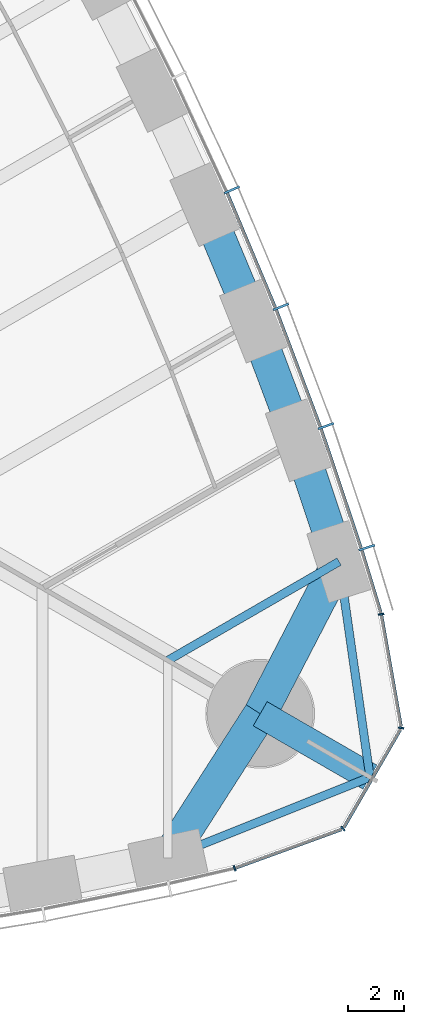
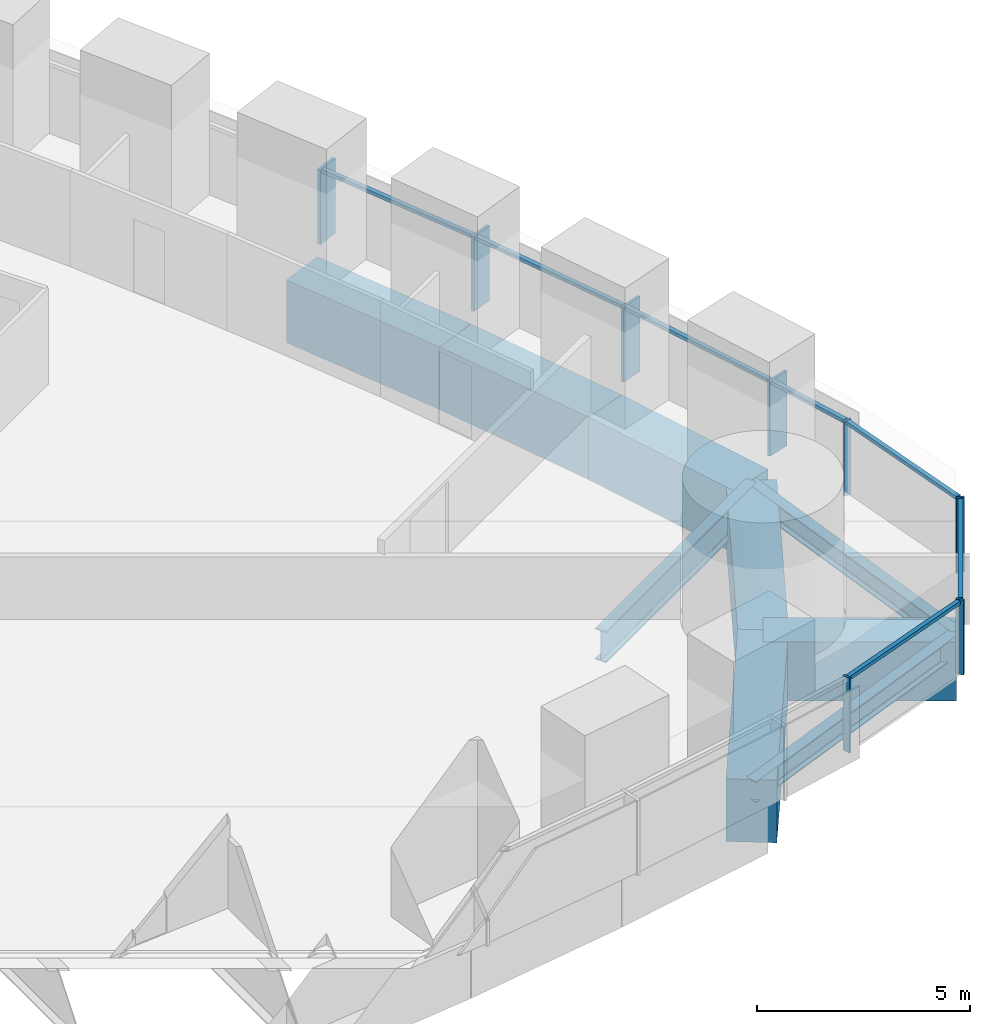
# One storey, part 7 of 18: 15 members, 9 beams, 2 elements without a shape of their own.
"""IFC4 building model written with IfcOpenShell, lengths in metres."""

from ifc_helpers import new_model, si_unit, direction, frame, origin, origin_2d, place, context, subcontext, project, spatial, rectangle, i_section, extrude, material, material_profile, profile_set, type_object, element, aggregate, save


model = new_model("IFC4")

# Units and contexts
model_context = context("Model", 3, precision=1e-05, world=origin(), true_north=direction((0.0, 1.0)))
body_context = subcontext(model_context, "Body", "Model", "MODEL_VIEW")
ifc_project = project(units=[si_unit("LENGTHUNIT", "METRE"), si_unit("AREAUNIT", "SQUARE_METRE"), si_unit("VOLUMEUNIT", "CUBIC_METRE"), si_unit("PLANEANGLEUNIT", "RADIAN"), si_unit("MASSUNIT", "GRAM", prefix="KILO")], contexts=[model_context])

# Site, building, storey
site_placement = place(None, origin())
site = spatial("IfcSite", under=ifc_project, at=site_placement, CompositionType="ELEMENT")
building_placement = place(site_placement, origin())
building = spatial("IfcBuilding", under=site, at=building_placement, Name="Trefoil Bronze Tower", CompositionType="ELEMENT")
storey_placement = place(building_placement, frame((0.0, 0.0, 174.5)))
storey = spatial("IfcBuildingStorey", under=building, at=storey_placement, Name="L40", CompositionType="ELEMENT", Elevation=174.5)

# Curtain wall, members
ifc_material_1 = material(Name="Tinted solar-control glass", Category="glass")
curtain_wall_type_1 = type_object("IfcCurtainWallType", Name="Bronze office curtain wall", PredefinedType="USERDEFINED", material=ifc_material_1)
curtain_wall_1_placement = place(storey_placement, origin())
curtain_wall_1 = element("IfcCurtainWall", 1, at=curtain_wall_1_placement, inside=storey, type_object=curtain_wall_type_1, Name="CW-A L40 F2", ObjectType="CURTAIN WALL", PredefinedType="USERDEFINED")
ifc_material_2 = material(Name="Bronze-finish aluminium", Category="aluminium")
ifc_material_profile_1 = material_profile(ifc_material_2, rectangle(XDim=0.60009765625, YDim=0.080078125, at=origin_2d()), Name="CW-A mullion")
ifc_profile_set_1 = profile_set([ifc_material_profile_1], Name="Bronze-finish aluminium")
member_type_1 = type_object("IfcMemberType", Name="Bronze office curtain wall mullion", PredefinedType="MULLION", material=ifc_profile_set_1)
member_1_placement = place(storey_placement, frame((34.1337890625, -11.543212890625, 0.0), z_axis=(0.0, 0.0, 1.0), x_axis=(-0.952331125357, -0.30506626768, 0.0)))
member_1 = element("IfcMember", 2, at=member_1_placement, type_object=member_type_1, Name="CW-A L40 F2 mullion 2", PredefinedType="MULLION", context=body_context, shape_type="SweptSolid", body=[
    extrude(rectangle(XDim=0.60009765625, YDim=0.080078125, at=origin_2d()), origin(), (0.0, 0.0, 1.0), 2.14990234375),
])
member_2_placement = place(storey_placement, frame((32.668701171875, -7.181884765625, 0.0), z_axis=(0.0, 0.0, 1.0), x_axis=(-0.94196250502, -0.335718094742, 0.0)))
member_2 = element("IfcMember", 3, at=member_2_placement, type_object=member_type_1, Name="CW-A L40 F2 mullion 3", PredefinedType="MULLION", context=body_context, shape_type="SweptSolid", body=[
    extrude(rectangle(XDim=0.60009765625, YDim=0.080078125, at=origin_2d()), origin(), (0.0, 0.0, 1.0), 2.14990234375),
])
member_3_placement = place(storey_placement, frame((31.055419921875, -2.90478515625, 0.0), z_axis=(0.0, 0.0, 1.0), x_axis=(-0.929071242848, -0.369900832269, 0.0)))
member_3 = element("IfcMember", 4, at=member_3_placement, type_object=member_type_1, Name="CW-A L40 F2 mullion 4", PredefinedType="MULLION", context=body_context, shape_type="SweptSolid", body=[
    extrude(rectangle(XDim=0.60009765625, YDim=0.080078125, at=origin_2d()), origin(), (0.0, 0.0, 1.0), 2.14990234375),
])
member_4_placement = place(storey_placement, frame((29.296875, 1.28857421875, 0.0), z_axis=(0.0, 0.0, 1.0), x_axis=(-0.915018269914, -0.40341240155, 0.0)))
member_4 = element("IfcMember", 5, at=member_4_placement, type_object=member_type_1, Name="CW-A L40 F2 mullion 5", PredefinedType="MULLION", context=body_context, shape_type="SweptSolid", body=[
    extrude(rectangle(XDim=0.60009765625, YDim=0.080078125, at=origin_2d()), origin(), (0.0, 0.0, 1.0), 2.14990234375),
])
ifc_material_3 = material(Name="Bronze-finish aluminium", Category="aluminium")
ifc_material_profile_2 = material_profile(ifc_material_3, rectangle(XDim=0.1201171875, YDim=0.10009765625, at=origin_2d()), Name="CW-A transom")
ifc_profile_set_2 = profile_set([ifc_material_profile_2], Name="Bronze-finish aluminium")
member_type_2 = type_object("IfcMemberType", Name="Bronze office curtain wall transom", PredefinedType="USERDEFINED", material=ifc_profile_set_2)
member_5_placement = place(storey_placement, frame((34.637939453125, -13.88232421875, 2.10009765625), z_axis=(-0.291680468798, 0.956515814883, 0.0), x_axis=(-0.956515814883, -0.291680468798, 0.0)))
member_5 = element("IfcMember", 6, at=member_5_placement, type_object=member_type_2, Name="CW-A L40 F2 transom 1", ObjectType="TRANSOM", PredefinedType="USERDEFINED", context=body_context, shape_type="SweptSolid", body=[
    extrude(rectangle(XDim=0.1201171875, YDim=0.10009765625, at=origin_2d()), origin(), (0.0, 0.0, 1.0), 2.34033203125),
])
member_6_placement = place(storey_placement, frame((33.929931640625, -11.56494140625, 2.10009765625), z_axis=(-0.318386323729, 0.947961048178, 0.0), x_axis=(-0.947961048178, -0.318386323729, 0.0)))
member_6 = element("IfcMember", 7, at=member_6_placement, type_object=member_type_2, Name="CW-A L40 F2 transom 2", ObjectType="TRANSOM", PredefinedType="USERDEFINED", context=body_context, shape_type="SweptSolid", body=[
    extrude(rectangle(XDim=0.1201171875, YDim=0.10009765625, at=origin_2d()), origin(), (0.0, 0.0, 1.0), 4.51123046875),
])
member_7_placement = place(storey_placement, frame((32.465576171875, -7.2099609375, 2.10009765625), z_axis=(-0.352932154759, 0.935648916067, 0.0), x_axis=(-0.935648916067, -0.352932154759, 0.0)))
member_7 = element("IfcMember", 8, at=member_7_placement, type_object=member_type_2, Name="CW-A L40 F2 transom 3", ObjectType="TRANSOM", PredefinedType="USERDEFINED", context=body_context, shape_type="SweptSolid", body=[
    extrude(rectangle(XDim=0.1201171875, YDim=0.10009765625, at=origin_2d()), origin(), (0.0, 0.0, 1.0), 4.48046875),
])
member_8_placement = place(storey_placement, frame((30.853515625, -2.940185546875, 2.10009765625), z_axis=(-0.386773266184, 0.922174842731, 0.0), x_axis=(-0.922174842731, -0.386773266184, 0.0)))
member_8 = element("IfcMember", 9, at=member_8_placement, type_object=member_type_2, Name="CW-A L40 F2 transom 4", ObjectType="TRANSOM", PredefinedType="USERDEFINED", context=body_context, shape_type="SweptSolid", body=[
    extrude(rectangle(XDim=0.1201171875, YDim=0.10009765625, at=origin_2d()), origin(), (0.0, 0.0, 1.0), 4.45654296875),
])
aggregate(curtain_wall_1, [member_1, member_2, member_3, member_4, member_5, member_6, member_7, member_8])

ifc_material_4 = material(Name="Tinted solar-control glass", Category="glass")
curtain_wall_type_2 = type_object("IfcCurtainWallType", Name="Bronze rounded corner curtain wall", PredefinedType="USERDEFINED", material=ifc_material_4)
curtain_wall_2_placement = place(storey_placement, origin())
curtain_wall_2 = element("IfcCurtainWall", 10, at=curtain_wall_2_placement, inside=storey, type_object=curtain_wall_type_2, Name="CW-B L40 K1", ObjectType="CURTAIN WALL", PredefinedType="USERDEFINED")
ifc_material_5 = material(Name="Bronze-finish aluminium", Category="aluminium")
ifc_material_profile_3 = material_profile(ifc_material_5, rectangle(XDim=0.199951171875, YDim=0.06005859375, at=origin_2d()), Name="CW-B mullion")
ifc_profile_set_3 = profile_set([ifc_material_profile_3], Name="Bronze-finish aluminium")
member_type_3 = type_object("IfcMemberType", Name="Bronze rounded corner curtain wall mullion", PredefinedType="MULLION", material=ifc_profile_set_3)
member_9_placement = place(storey_placement, frame((29.391845703125, -23.043701171875, 0.0), z_axis=(0.0, 0.0, 1.0), x_axis=(-0.342020143326, 0.939692620786, 0.0)))
member_9 = element("IfcMember", 11, at=member_9_placement, type_object=member_type_3, Name="CW-B L40 K1 mullion 1", PredefinedType="MULLION", context=body_context, shape_type="SweptSolid", body=[
    extrude(rectangle(XDim=0.199951171875, YDim=0.06005859375, at=origin_2d()), origin(), (0.0, 0.0, 1.0), 2.14990234375),
])
member_10_placement = place(storey_placement, frame((33.27880859375, -21.62255859375, 0.0), z_axis=(0.0, 0.0, 1.0), x_axis=(-0.642787609687, 0.766044443119, 0.0)))
member_10 = element("IfcMember", 12, at=member_10_placement, type_object=member_type_3, Name="CW-B L40 K1 mullion 2", PredefinedType="MULLION", context=body_context, shape_type="SweptSolid", body=[
    extrude(rectangle(XDim=0.199951171875, YDim=0.06005859375, at=origin_2d()), origin(), (0.0, 0.0, 1.0), 2.14990234375),
])
member_11_placement = place(storey_placement, frame((35.364990234375, -18.009033203125, 0.0), z_axis=(0.0, 0.0, 1.0), x_axis=(-0.984807753012, 0.173648177667, 0.0)))
member_11 = element("IfcMember", 13, at=member_11_placement, type_object=member_type_3, Name="CW-B L40 K1 mullion 3", PredefinedType="MULLION", context=body_context, shape_type="SweptSolid", body=[
    extrude(rectangle(XDim=0.199951171875, YDim=0.06005859375, at=origin_2d()), origin(), (0.0, 0.0, 1.0), 2.14990234375),
])
member_12_placement = place(storey_placement, frame((34.65234375, -13.932373046875, 0.0), z_axis=(0.0, 0.0, 1.0), x_axis=(-0.984807753012, -0.173648177667, 0.0)))
member_12 = element("IfcMember", 14, at=member_12_placement, type_object=member_type_3, Name="CW-B L40 K1 mullion 4", PredefinedType="MULLION", context=body_context, shape_type="SweptSolid", body=[
    extrude(rectangle(XDim=0.199951171875, YDim=0.06005859375, at=origin_2d()), origin(), (0.0, 0.0, 1.0), 2.14990234375),
])
ifc_material_6 = material(Name="Bronze-finish aluminium", Category="aluminium")
ifc_material_profile_4 = material_profile(ifc_material_6, rectangle(XDim=0.1201171875, YDim=0.10009765625, at=origin_2d()), Name="CW-B transom")
ifc_profile_set_4 = profile_set([ifc_material_profile_4], Name="Bronze-finish aluminium")
member_type_4 = type_object("IfcMemberType", Name="Bronze rounded corner curtain wall transom", PredefinedType="USERDEFINED", material=ifc_profile_set_4)
member_13_placement = place(storey_placement, frame((29.420166015625, -23.033447265625, 2.10009765625), z_axis=(0.939684096629, 0.342043562347, 0.0), x_axis=(-0.342043562347, 0.939684096629, 0.0)))
member_13 = element("IfcMember", 15, at=member_13_placement, type_object=member_type_4, Name="CW-B L40 K1 transom 1", ObjectType="TRANSOM", PredefinedType="USERDEFINED", context=body_context, shape_type="SweptSolid", body=[
    extrude(rectangle(XDim=0.1201171875, YDim=0.10009765625, at=origin_2d()), origin(), (0.0, 0.0, 1.0), 4.044189453125),
])
member_14_placement = place(storey_placement, frame((33.31591796875, -21.570068359375, 2.10009765625), z_axis=(0.500015078168, 0.866016698225, 0.0), x_axis=(-0.866016698225, 0.500015078168, 0.0)))
member_14 = element("IfcMember", 16, at=member_14_placement, type_object=member_type_4, Name="CW-B L40 K1 transom 2", ObjectType="TRANSOM", PredefinedType="USERDEFINED", context=body_context, shape_type="SweptSolid", body=[
    extrude(rectangle(XDim=0.1201171875, YDim=0.10009765625, at=origin_2d()), origin(), (0.0, 0.0, 1.0), 4.04443359375),
])
member_15_placement = place(storey_placement, frame((35.35986328125, -17.944580078125, 2.10009765625), z_axis=(-0.173682016639, 0.984801785689, 0.0), x_axis=(-0.984801785689, -0.173682016639, 0.0)))
member_15 = element("IfcMember", 17, at=member_15_placement, type_object=member_type_4, Name="CW-B L40 K1 transom 3", ObjectType="TRANSOM", PredefinedType="USERDEFINED", context=body_context, shape_type="SweptSolid", body=[
    extrude(rectangle(XDim=0.1201171875, YDim=0.10009765625, at=origin_2d()), origin(), (0.0, 0.0, 1.0), 4.044189453125),
])
aggregate(curtain_wall_2, [member_9, member_10, member_11, member_12, member_13, member_14, member_15])

# Beams
ifc_material_7 = material(Name="Concrete B80", Category="concrete")
ifc_material_profile_5 = material_profile(ifc_material_7, rectangle(XDim=1.0, YDim=1.699951171875, at=origin_2d()), Name="RC 1000x1700")
ifc_profile_set_5 = profile_set([ifc_material_profile_5], Name="Concrete B80")
beam_type_1 = type_object("IfcBeamType", Name="Corner cantilever RC 1000x1700", PredefinedType="BEAM", material=ifc_profile_set_5)
beam_1_placement = place(storey_placement, frame((30.310791015625, -17.5, -1.050048828125), z_axis=(0.866031878637, -0.499988785058, 0.0), x_axis=(0.499988785058, 0.866031878637, 0.0)))
element("IfcBeam", 18, at=beam_1_placement, inside=storey, type_object=beam_type_1, Name="Corner cantilever K1 L40", PredefinedType="BEAM", context=body_context, shape_type="SweptSolid", body=[
    extrude(rectangle(XDim=1.0, YDim=1.699951171875, at=origin_2d()), origin(), (0.0, 0.0, 1.0), 4.54931640625),
])
ifc_material_8 = material(Name="Steel C355", Category="steel")
ifc_material_profile_6 = material_profile(ifc_material_8, i_section(OverallWidth=0.300048828125, OverallDepth=0.60009765625, WebThickness=0.015380859375, FlangeThickness=0.030029296875, FilletRadius=0.027099609375, at=origin_2d()), Name="HEB 600")
ifc_profile_set_6 = profile_set([ifc_material_profile_6], Name="Steel C355")
beam_type_2 = type_object("IfcBeamType", Name="Corner edge beam HEB 600", PredefinedType="BEAM", material=ifc_profile_set_6)
for number, where, z_axis, x_axis, name in (
    (19, (27.0, -22.67724609375, -0.5), (0.928375332495, 0.371643972122, 0.0), (-0.371643972122, 0.928375332495, 0.0), "Corner edge beam F1A L40"),
    (20, (33.13916015625, -12.044189453125, -0.5), (0.142327214588, -0.989819662357, 0.0), (0.989819662357, 0.142327214588, 0.0), "Corner edge beam F2B L40"),
):
    element("IfcBeam", number, at=place(storey_placement, frame(where, z_axis=z_axis, x_axis=x_axis)), inside=storey, type_object=beam_type_2, Name=name, PredefinedType="BEAM", context=body_context, shape_type="SweptSolid", body=[
        extrude(i_section(OverallWidth=0.300048828125, OverallDepth=0.60009765625, WebThickness=0.015380859375, FlangeThickness=0.030029296875, FilletRadius=0.027099609375, at=origin_2d()), origin(), (0.0, 0.0, 1.0), 7.81005859375),
    ])
ifc_material_9 = material(Name="Concrete B80", Category="concrete")
ifc_material_profile_7 = material_profile(ifc_material_9, rectangle(XDim=1.199951171875, YDim=1.800048828125, at=origin_2d()), Name="RC 1200x1800")
ifc_profile_set_7 = profile_set([ifc_material_profile_7], Name="Concrete B80")
beam_type_3 = type_object("IfcBeamType", Name="End spandrel beam RC 1200x1800", PredefinedType="SPANDREL", material=ifc_profile_set_7)
for number, where, z_axis, x_axis, name in (
    (21, (27.0, -22.67724609375, -1.10009765625), (0.53874814953, 0.84246687257, 0.0), (-0.84246687257, 0.53874814953, 0.0), "Spandrel F1.14 L40"),
    (22, (30.310791015625, -17.5, -1.10009765625), (0.460244107083, 0.887792409235, 0.0), (-0.887792409235, 0.460244107083, 0.0), "Spandrel F2.1 L40"),
):
    element("IfcBeam", number, at=place(storey_placement, frame(where, z_axis=z_axis, x_axis=x_axis)), inside=storey, type_object=beam_type_3, Name=name, PredefinedType="SPANDREL", context=body_context, shape_type="SweptSolid", body=[
        extrude(rectangle(XDim=1.199951171875, YDim=1.800048828125, at=origin_2d()), origin(), (0.0, 0.0, 1.0), 6.145263671875),
    ])
ifc_material_10 = material(Name="Steel C355", Category="steel")
ifc_material_profile_8 = material_profile(ifc_material_10, i_section(OverallWidth=0.300048828125, OverallDepth=0.89990234375, WebThickness=0.0185546875, FlangeThickness=0.034912109375, FilletRadius=0.030029296875, at=origin_2d()), Name="HEB 900")
ifc_profile_set_8 = profile_set([ifc_material_profile_8], Name="Steel C355")
beam_type_4 = type_object("IfcBeamType", Name="Floor beam HEB 900", PredefinedType="BEAM", material=ifc_profile_set_8)
beam_2_placement = place(storey_placement, frame((33.13916015625, -12.044189453125, -0.64990234375), z_axis=(-0.866041060244, -0.499972881236, 0.0), x_axis=(0.499972881236, -0.866041060244, 0.0)))
element("IfcBeam", 23, at=beam_2_placement, inside=storey, type_object=beam_type_4, Name="Floor beam F2/-6 L40", PredefinedType="BEAM", context=body_context, shape_type="SweptSolid", body=[
    extrude(i_section(OverallWidth=0.300048828125, OverallDepth=0.89990234375, WebThickness=0.0185546875, FlangeThickness=0.034912109375, FilletRadius=0.030029296875, at=origin_2d()), origin(), (0.0, 0.0, 1.0), 7.0888671875),
])
ifc_material_11 = material(Name="Concrete B80", Category="concrete")
ifc_material_profile_9 = material_profile(ifc_material_11, rectangle(XDim=1.199951171875, YDim=1.800048828125, at=origin_2d()), Name="RC 1200x1800")
ifc_profile_set_9 = profile_set([ifc_material_profile_9], Name="Concrete B80")
beam_type_5 = type_object("IfcBeamType", Name="Spandrel beam RC 1200x1800", PredefinedType="SPANDREL", material=ifc_profile_set_9)
beam_3_placement = place(storey_placement, frame((33.13916015625, -12.044189453125, -1.10009765625), z_axis=(-0.31732802068, 0.948315837309, 0.0), x_axis=(-0.948315837309, -0.31732802068, 0.0)))
element("IfcBeam", 24, at=beam_3_placement, inside=storey, type_object=beam_type_5, Name="Spandrel F2.2 L40", PredefinedType="SPANDREL", context=body_context, shape_type="SweptSolid", body=[
    extrude(rectangle(XDim=1.199951171875, YDim=1.800048828125, at=origin_2d()), origin(), (0.0, 0.0, 1.0), 4.59228515625),
])
beam_4_placement = place(storey_placement, frame((31.681884765625, -7.689208984375, -1.10009765625), z_axis=(-0.351938675523, 0.936023059904, 0.0), x_axis=(-0.936023059904, -0.351938675523, 0.0)))
element("IfcBeam", 25, at=beam_4_placement, inside=storey, type_object=beam_type_5, Name="Spandrel F2.3 L40", PredefinedType="SPANDREL", context=body_context, shape_type="SweptSolid", body=[
    extrude(rectangle(XDim=1.199951171875, YDim=1.800048828125, at=origin_2d()), origin(), (0.0, 0.0, 1.0), 4.56103515625),
])
beam_5_placement = place(storey_placement, frame((30.07666015625, -3.419921875, -1.10009765625), z_axis=(-0.386013490858, 0.922493135408, 0.0), x_axis=(-0.922493135408, -0.386013490858, 0.0)))
element("IfcBeam", 26, at=beam_5_placement, inside=storey, type_object=beam_type_5, Name="Spandrel F2.4 L40", PredefinedType="SPANDREL", context=body_context, shape_type="SweptSolid", body=[
    extrude(rectangle(XDim=1.199951171875, YDim=1.800048828125, at=origin_2d()), origin(), (0.0, 0.0, 1.0), 4.53662109375),
])

save(model, "model.ifc")
